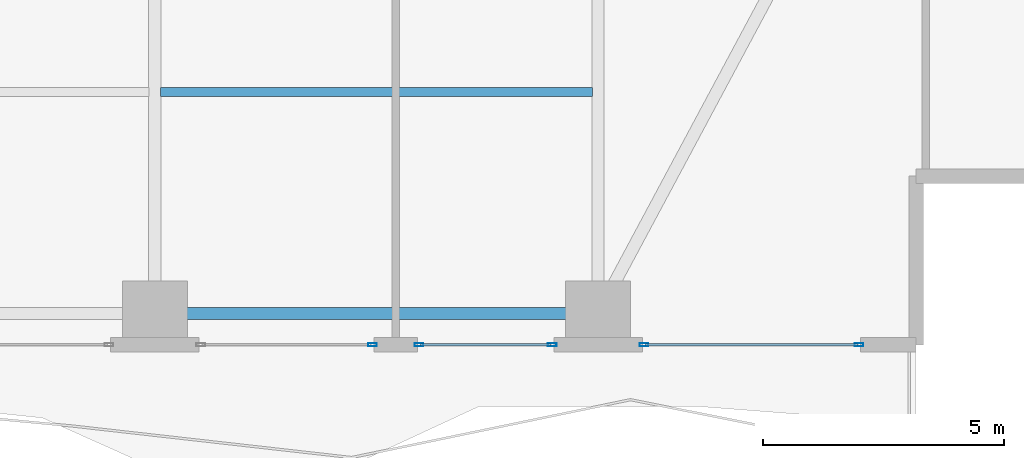
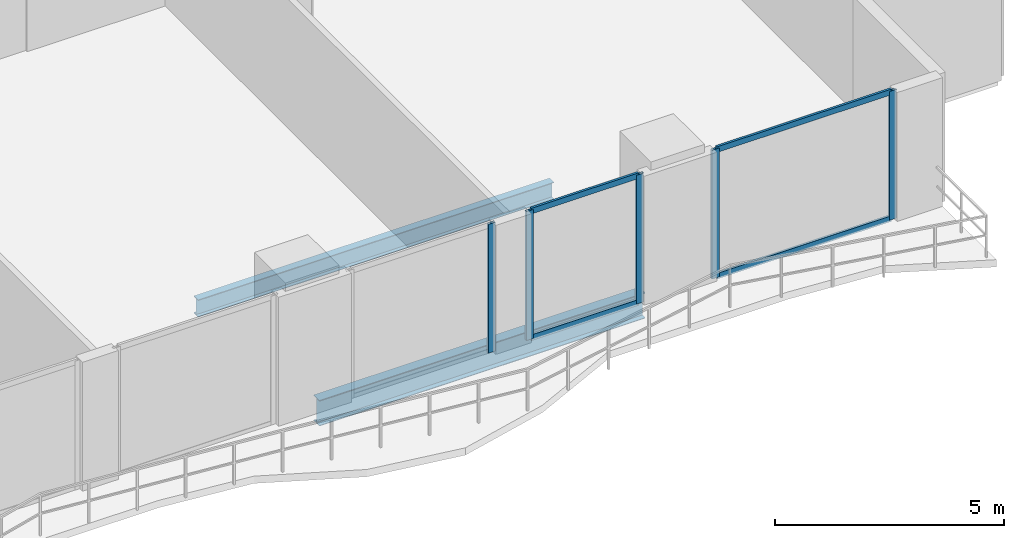
# One storey, part 9 of 28: 9 members, 2 beams, 3 elements without a shape of their own.
"""IFC4 building model written with IfcOpenShell, lengths in metres."""

from ifc_helpers import new_model, si_unit, direction, frame, origin, origin_2d, place, context, subcontext, project, spatial, hollow_rectangle, i_section, extrude, material, layer, layer_set, material_profile, profile_set, type_object, element, aggregate, save


model = new_model("IFC4")

# Units and contexts
model_context = context("Model", 3, precision=1e-05, world=origin(), true_north=direction((0.0, 1.0)))
body_context = subcontext(model_context, "Body", "Model", "MODEL_VIEW")
ifc_project = project(units=[si_unit("LENGTHUNIT", "METRE"), si_unit("AREAUNIT", "SQUARE_METRE"), si_unit("VOLUMEUNIT", "CUBIC_METRE"), si_unit("PLANEANGLEUNIT", "RADIAN"), si_unit("MASSUNIT", "GRAM", prefix="KILO")], contexts=[model_context])

# Site, building, storey
site_placement = place(None, origin())
site = spatial("IfcSite", under=ifc_project, at=site_placement, CompositionType="ELEMENT")
building_placement = place(site_placement, origin())
building = spatial("IfcBuilding", under=site, at=building_placement, Name="Zuhayl Quay Hotel", CompositionType="ELEMENT")
storey_placement = place(building_placement, frame((0.0, 0.0, 146.75)))
storey = spatial("IfcBuildingStorey", under=building, at=storey_placement, Name="L37", CompositionType="ELEMENT", Elevation=146.75)

# Beams
ifc_material_1 = material(Name="Steel ASTM A992 Grade 50", Category="steel")
ifc_material_profile_1 = material_profile(ifc_material_1, i_section(OverallWidth=0.25390625, OverallDepth=0.68310546875, WebThickness=0.012451171875, FlangeThickness=0.018798828125, at=origin_2d()), Name="W27X94")
ifc_profile_set_1 = profile_set([ifc_material_profile_1], Name="Steel ASTM A992 Grade 50")
beam_type_1 = type_object("IfcBeamType", Name="BM_B2_W27X94", PredefinedType="BEAM", material=ifc_profile_set_1)
beam_1_placement = place(storey_placement, frame((5.10009765625, -14.75, -0.5615234375), z_axis=(1.0, 0.0, 0.0), x_axis=(0.0, 1.0, 0.0)))
element("IfcBeam", 1, at=beam_1_placement, inside=storey, type_object=beam_type_1, Name="L37 Floor Beam RG_L37_03", PredefinedType="BEAM", context=body_context, shape_type="SweptSolid", body=[
    extrude(i_section(OverallWidth=0.25390625, OverallDepth=0.68310546875, WebThickness=0.012451171875, FlangeThickness=0.018798828125, at=origin_2d()), origin(), (0.0, 0.0, 1.0), 8.199951171875),
])
ifc_material_profile_2 = material_profile(ifc_material_1, i_section(OverallWidth=0.18994140625, OverallDepth=0.45703125, WebThickness=0.009033203125, FlangeThickness=0.014404296875, at=origin_2d()), Name="W18X50")
ifc_profile_set_2 = profile_set([ifc_material_profile_2], Name="Steel ASTM A992 Grade 50")
beam_type_2 = type_object("IfcBeamType", Name="BM_J2_W18X50", PredefinedType="JOIST", material=ifc_profile_set_2)
beam_2_placement = place(storey_placement, frame((4.718994140625, -10.14990234375, -0.448486328125), z_axis=(1.0, 0.0, 0.0), x_axis=(0.0, 1.0, 0.0)))
element("IfcBeam", 2, at=beam_2_placement, inside=storey, type_object=beam_type_2, Name="L37 Floor Beam FJ_L37_5_3", PredefinedType="JOIST", context=body_context, shape_type="SweptSolid", body=[
    extrude(i_section(OverallWidth=0.18994140625, OverallDepth=0.45703125, WebThickness=0.009033203125, FlangeThickness=0.014404296875, at=origin_2d()), origin(), (0.0, 0.0, 1.0), 8.9619140625),
])

# Curtain wall, members
ifc_material_2 = material(Name="Anodised Aluminium 6063-T6", Category="aluminium")
ifc_layer = layer(ifc_material_2, 0.179931640625, Name="Anodised Aluminium 6063-T6", Category="aluminium")
ifc_layer_set = layer_set([ifc_layer], Name="Anodised Aluminium 6063-T6")
curtain_wall_type = type_object("IfcCurtainWallType", Name="CW_SYS_Z2", PredefinedType="USERDEFINED", material=ifc_layer_set)
curtain_wall_1_placement = place(storey_placement, origin())
curtain_wall_1 = element("IfcCurtainWall", 3, at=curtain_wall_1_placement, inside=storey, type_object=curtain_wall_type, Name="L37 Curtain Wall ENV_L37_S_CW1", ObjectType="UNITISED CURTAIN WALL", PredefinedType="USERDEFINED")
ifc_material_3 = material(Name="Black-anodised aluminium 6063-T6", Category="aluminium")
ifc_material_profile_3 = material_profile(ifc_material_3, hollow_rectangle(XDim=0.06494140625, YDim=0.179931640625, WallThickness=0.00341796875, at=origin_2d()), Name="ALU180X65")
ifc_profile_set_3 = profile_set([ifc_material_profile_3], Name="Black-anodised aluminium 6063-T6")
member_type_1 = type_object("IfcMemberType", Name="MB_CW_MUL_180", PredefinedType="MULLION", material=ifc_profile_set_3)
member_1_placement = place(storey_placement, frame((19.217529296875, -15.39990234375, 0.0), z_axis=(0.0, 0.0, 1.0), x_axis=(0.0, -1.0, 0.0)))
member_1 = element("IfcMember", 4, at=member_1_placement, type_object=member_type_1, Name="CW-Z2 mullion 1", PredefinedType="MULLION", context=body_context, shape_type="SweptSolid", body=[
    extrude(hollow_rectangle(XDim=0.06494140625, YDim=0.179931640625, WallThickness=0.00341796875, at=origin_2d()), origin(), (0.0, 0.0, 1.0), 3.429931640625),
])
member_2_placement = place(storey_placement, frame((14.75244140625, -15.39990234375, 0.0), z_axis=(0.0, 0.0, 1.0), x_axis=(0.0, -1.0, 0.0)))
member_2 = element("IfcMember", 5, at=member_2_placement, type_object=member_type_1, Name="CW-Z2 mullion 2", PredefinedType="MULLION", context=body_context, shape_type="SweptSolid", body=[
    extrude(hollow_rectangle(XDim=0.06494140625, YDim=0.179931640625, WallThickness=0.00341796875, at=origin_2d()), origin(), (0.0, 0.0, 1.0), 3.429931640625),
])

curtain_wall_2_placement = place(storey_placement, origin())
curtain_wall_2 = element("IfcCurtainWall", 6, at=curtain_wall_2_placement, inside=storey, type_object=curtain_wall_type, Name="L37 Curtain Wall ENV_L37_S_CW2", ObjectType="UNITISED CURTAIN WALL", PredefinedType="USERDEFINED")
member_3_placement = place(storey_placement, frame((12.847412109375, -15.39990234375, 0.0), z_axis=(0.0, 0.0, 1.0), x_axis=(0.0, -1.0, 0.0)))
member_3 = element("IfcMember", 7, at=member_3_placement, type_object=member_type_1, Name="CW-Z2 mullion 1", PredefinedType="MULLION", context=body_context, shape_type="SweptSolid", body=[
    extrude(hollow_rectangle(XDim=0.06494140625, YDim=0.179931640625, WallThickness=0.00341796875, at=origin_2d()), origin(), (0.0, 0.0, 1.0), 3.429931640625),
])
member_4_placement = place(storey_placement, frame((10.08251953125, -15.39990234375, 0.0), z_axis=(0.0, 0.0, 1.0), x_axis=(0.0, -1.0, 0.0)))
member_4 = element("IfcMember", 8, at=member_4_placement, type_object=member_type_1, Name="CW-Z2 mullion 2", PredefinedType="MULLION", context=body_context, shape_type="SweptSolid", body=[
    extrude(hollow_rectangle(XDim=0.06494140625, YDim=0.179931640625, WallThickness=0.00341796875, at=origin_2d()), origin(), (0.0, 0.0, 1.0), 3.429931640625),
])

# Curtain wall, member
curtain_wall_3_placement = place(storey_placement, origin())
curtain_wall_3 = element("IfcCurtainWall", 9, at=curtain_wall_3_placement, inside=storey, type_object=curtain_wall_type, Name="L37 Curtain Wall ENV_L37_S_CW3", ObjectType="UNITISED CURTAIN WALL", PredefinedType="USERDEFINED")
member_5_placement = place(storey_placement, frame((9.117431640625, -15.39990234375, 0.0), z_axis=(0.0, 0.0, 1.0), x_axis=(0.0, -1.0, 0.0)))
member_5 = element("IfcMember", 10, at=member_5_placement, type_object=member_type_1, Name="CW-Z2 mullion 1", PredefinedType="MULLION", context=body_context, shape_type="SweptSolid", body=[
    extrude(hollow_rectangle(XDim=0.06494140625, YDim=0.179931640625, WallThickness=0.00341796875, at=origin_2d()), origin(), (0.0, 0.0, 1.0), 3.429931640625),
])
aggregate(curtain_wall_3, [member_5])

# Member
ifc_material_profile_4 = material_profile(ifc_material_3, hollow_rectangle(XDim=0.06005859375, YDim=0.14990234375, WallThickness=0.00341796875, at=origin_2d()), Name="ALU150X60")
ifc_profile_set_4 = profile_set([ifc_material_profile_4], Name="Black-anodised aluminium 6063-T6")
member_type_2 = type_object("IfcMemberType", Name="MB_CW_TRN_150", PredefinedType="USERDEFINED", material=ifc_profile_set_4)
member_6_placement = place(storey_placement, frame((19.18505859375, -15.39990234375, 0.030029296875), z_axis=(-1.0, 0.0, 0.0), x_axis=(0.0, -1.0, 0.0)))
member_6 = element("IfcMember", 11, at=member_6_placement, type_object=member_type_2, Name="CW-Z2 transom 1.1", ObjectType="TRANSOM", PredefinedType="USERDEFINED", context=body_context, shape_type="SweptSolid", body=[
    extrude(hollow_rectangle(XDim=0.06005859375, YDim=0.14990234375, WallThickness=0.00341796875, at=origin_2d()), origin(), (0.0, 0.0, 1.0), 4.400146484375),
])

member_7_placement = place(storey_placement, frame((19.18505859375, -15.39990234375, 3.39990234375), z_axis=(-1.0, 0.0, 0.0), x_axis=(0.0, -1.0, 0.0)))
member_7 = element("IfcMember", 12, at=member_7_placement, type_object=member_type_2, Name="CW-Z2 transom 1.2", ObjectType="TRANSOM", PredefinedType="USERDEFINED", context=body_context, shape_type="SweptSolid", body=[
    extrude(hollow_rectangle(XDim=0.06005859375, YDim=0.14990234375, WallThickness=0.00341796875, at=origin_2d()), origin(), (0.0, 0.0, 1.0), 4.400146484375),
])

aggregate(curtain_wall_1, [member_1, member_2, member_6, member_7])

member_8_placement = place(storey_placement, frame((12.81494140625, -15.39990234375, 0.030029296875), z_axis=(-1.0, 0.0, 0.0), x_axis=(0.0, -1.0, 0.0)))
member_8 = element("IfcMember", 13, at=member_8_placement, type_object=member_type_2, Name="CW-Z2 transom 1.1", ObjectType="TRANSOM", PredefinedType="USERDEFINED", context=body_context, shape_type="SweptSolid", body=[
    extrude(hollow_rectangle(XDim=0.06005859375, YDim=0.14990234375, WallThickness=0.00341796875, at=origin_2d()), origin(), (0.0, 0.0, 1.0), 2.699951171875),
])

member_9_placement = place(storey_placement, frame((12.81494140625, -15.39990234375, 3.39990234375), z_axis=(-1.0, 0.0, 0.0), x_axis=(0.0, -1.0, 0.0)))
member_9 = element("IfcMember", 14, at=member_9_placement, type_object=member_type_2, Name="CW-Z2 transom 1.2", ObjectType="TRANSOM", PredefinedType="USERDEFINED", context=body_context, shape_type="SweptSolid", body=[
    extrude(hollow_rectangle(XDim=0.06005859375, YDim=0.14990234375, WallThickness=0.00341796875, at=origin_2d()), origin(), (0.0, 0.0, 1.0), 2.699951171875),
])

aggregate(curtain_wall_2, [member_3, member_4, member_8, member_9])

save(model, "model.ifc")
